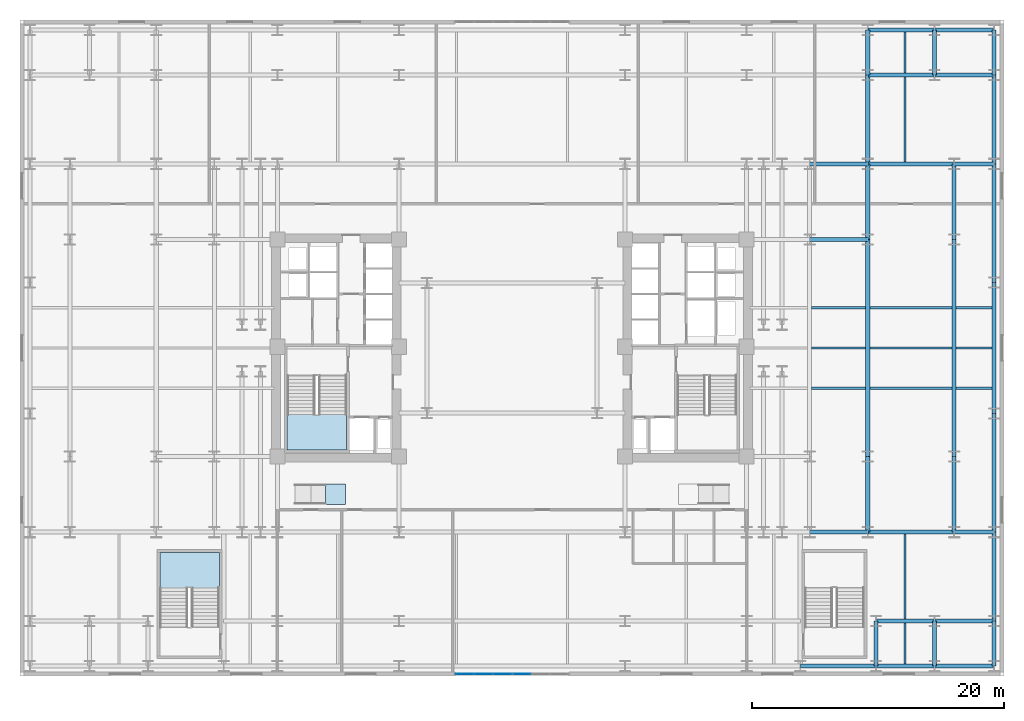
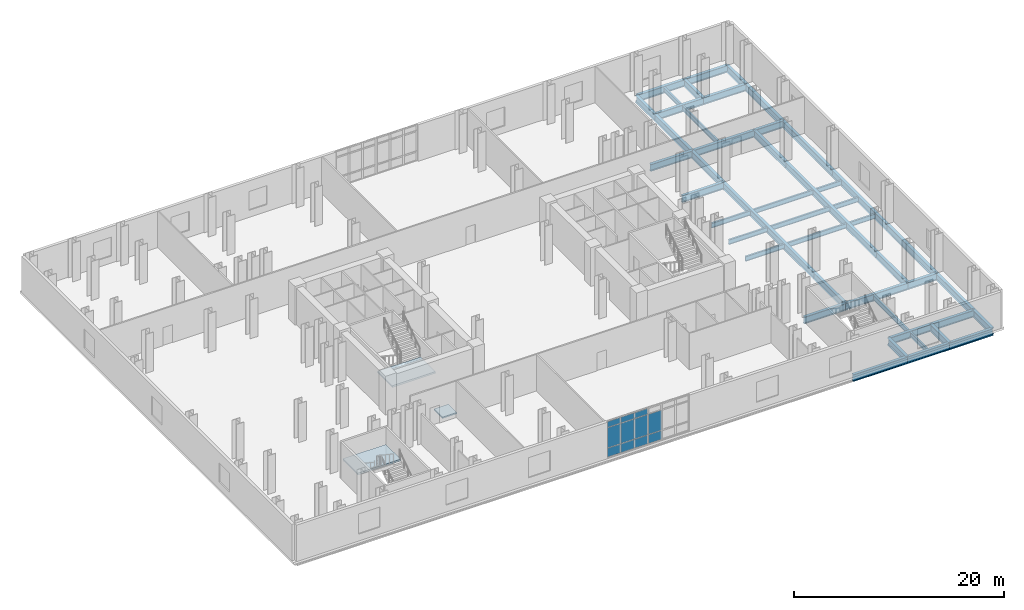
# One storey, part 6 of 13: 47 beams, 11 plates, 3 slabs, 4 elements without a shape of their own.
"""IFC4 building model written with IfcOpenShell, lengths in metres."""

import ifcopenshell
import ifcopenshell.guid

model = None  # the IFC model being written
_history = None  # IfcOwnerHistory: only IFC2X3 demands one
_inside = {}  # id of a spatial element -> (the spatial element, [elements in it])
_under = {}  # id of a project, library or spatial element -> (it, [spatial elements below it])
_declared = {}  # id of a project -> (the project, [libraries it declares])
_typed = {}  # id of a type object -> (the type object, [elements of that type])
_made_of = {}  # id of a material, layer set ... -> (it, [elements and type objects made of it])


def new_model(schema):
    """Start an empty IFC model of exactly this schema.

    Asked for "IFC4X3", IfcOpenShell would pick the latest addendum, in which some entities
    have other attributes; the version numbers below select the first issue.
    IFC2X3 requires an IfcOwnerHistory on every rooted entity: one is made here for all.
    """
    global model, _history
    if schema == "IFC4X3":
        model = ifcopenshell.file(schema_version=(4, 3, 0, 0))
    else:
        model = ifcopenshell.file(schema=schema)
    _inside.clear()
    _under.clear()
    _declared.clear()
    _typed.clear()
    _made_of.clear()
    _history = None
    if model.schema == "IFC2X3":
        org = make("IfcOrganization", Name="unknown")
        user = make(
            "IfcPersonAndOrganization",
            ThePerson=make("IfcPerson", FamilyName="unknown"),
            TheOrganization=org,
        )
        app = make(
            "IfcApplication",
            ApplicationDeveloper=org,
            Version="unknown",
            ApplicationFullName="unknown",
            ApplicationIdentifier="unknown",
        )
        _history = make(
            "IfcOwnerHistory",
            OwningUser=user,
            OwningApplication=app,
            ChangeAction="ADDED",
            CreationDate=0,
        )
    return model


def make(cls, **values):
    """One entity of the class cls with the attributes given. An attribute that is None is left unset."""
    return model.create_entity(
        cls, **{name: value for name, value in values.items() if value is not None}
    )


def rooted(cls, **values):
    """An entity with a GlobalId (a new one), such as an element, a storey or a relation."""
    return make(cls, GlobalId=ifcopenshell.guid.new(), OwnerHistory=_history, **values)


def si_unit(unit_type, name, prefix=None):
    """IfcSIUnit, for example si_unit("LENGTHUNIT", "METRE", prefix="MILLI")."""
    return make("IfcSIUnit", UnitType=unit_type, Prefix=prefix, Name=name)


def assignment(units):
    """IfcUnitAssignment: the units of a project."""
    return None if units is None else make("IfcUnitAssignment", Units=units)


def point(xyz):
    """IfcCartesianPoint."""
    return None if xyz is None else make("IfcCartesianPoint", Coordinates=xyz)


def direction(xyz):
    """IfcDirection."""
    return None if xyz is None else make("IfcDirection", DirectionRatios=xyz)


def frame(location, z_axis=None, x_axis=None):
    """IfcAxis2Placement3D, a coordinate frame: its origin and axes. An axis left out is left unset."""
    return make(
        "IfcAxis2Placement3D",
        Location=point(location),
        Axis=direction(z_axis),
        RefDirection=direction(x_axis),
    )


def frame_2d(location, x_axis=None):
    """IfcAxis2Placement2D, a coordinate frame in the plane: its origin and x axis."""
    return make(
        "IfcAxis2Placement2D", Location=point(location), RefDirection=direction(x_axis)
    )


def origin():
    """The frame at (0, 0, 0) with its axes left unset."""
    return frame((0.0, 0.0, 0.0))


def origin_2d():
    """The frame at (0, 0) in the plane with its x axis left unset."""
    return frame_2d((0.0, 0.0))


def place(relative_to, where):
    """IfcLocalPlacement: puts the frame where relative to a parent placement (None: the world)."""
    return make(
        "IfcLocalPlacement", PlacementRelTo=relative_to, RelativePlacement=where
    )


def context(
    kind, dimensions, precision=None, world=None, true_north=None, identifier=None
):
    """IfcGeometricRepresentationContext, for example the 3D "Model" context."""
    return make(
        "IfcGeometricRepresentationContext",
        ContextIdentifier=identifier,
        ContextType=kind,
        CoordinateSpaceDimension=dimensions,
        Precision=precision,
        WorldCoordinateSystem=world,
        TrueNorth=true_north,
    )


def subcontext(parent, identifier, kind, view, scale=None):
    """IfcGeometricRepresentationSubContext, for example "Body" below "Model"."""
    return make(
        "IfcGeometricRepresentationSubContext",
        ContextIdentifier=identifier,
        ContextType=kind,
        ParentContext=parent,
        TargetScale=scale,
        TargetView=view,
    )


def project(units=None, contexts=None):
    """IfcProject with its units and contexts."""
    return rooted(
        "IfcProject",
        Name="project",
        RepresentationContexts=contexts,
        UnitsInContext=assignment(units),
    )


def spatial(cls, under=None, at=None, **own):
    """A site, building, storey or space (cls), placed at a placement, below another one or the project."""
    s = rooted(cls, ObjectPlacement=at, **own)
    if under is not None:
        _under.setdefault(under.id(), (under, []))[1].append(s)
    return s


def polyline(points):
    """IfcPolyline through the points."""
    return make("IfcPolyline", Points=[point(p) for p in points])


def profile(cls, at=None, kind="AREA", **sizes):
    """A parametric profile (cls). Its sizes go by their IFC names, for example OverallWidth=200.0."""
    return make(cls, ProfileType=kind, Position=at, **sizes)


def rectangle(**sizes):
    """IfcRectangleProfileDef."""
    return profile("IfcRectangleProfileDef", **sizes)


def i_section(**sizes):
    """IfcIShapeProfileDef."""
    return profile("IfcIShapeProfileDef", **sizes)


def outline(outer, holes=None, kind="AREA"):
    """IfcArbitraryClosedProfileDef: a profile drawn as a closed curve; with holes, ...WithVoids."""
    if holes is None:
        return make("IfcArbitraryClosedProfileDef", ProfileType=kind, OuterCurve=outer)
    return make(
        "IfcArbitraryProfileDefWithVoids",
        ProfileType=kind,
        OuterCurve=outer,
        InnerCurves=holes,
    )


def extrude(swept, where, along, depth):
    """IfcExtrudedAreaSolid: the profile swept, set in the frame where, extruded along a direction by depth."""
    return make(
        "IfcExtrudedAreaSolid",
        SweptArea=swept,
        Position=where,
        ExtrudedDirection=direction(along),
        Depth=depth,
    )


def shape(context_of_items, identifier, shape_type, items):
    """IfcShapeRepresentation: the items that make up one representation, for example the "Body"."""
    return make(
        "IfcShapeRepresentation",
        ContextOfItems=context_of_items,
        RepresentationIdentifier=identifier,
        RepresentationType=shape_type,
        Items=items,
    )


def material(Name=None, Category=None):
    """IfcMaterial."""
    return make("IfcMaterial", Name=Name, Category=Category)


def layer(
    of_material, thickness, ventilated=None, Name=None, Category=None, Priority=None
):
    """IfcMaterialLayer: one layer of a wall or slab, of a material (None: an air gap)."""
    return make(
        "IfcMaterialLayer",
        Material=of_material,
        LayerThickness=thickness,
        IsVentilated=ventilated,
        Name=Name,
        Category=Category,
        Priority=Priority,
    )


def layer_set(layers, Name=None):
    """IfcMaterialLayerSet."""
    return make("IfcMaterialLayerSet", MaterialLayers=layers, LayerSetName=Name)


def material_profile(
    of_material, cross_section, Name=None, Category=None, Priority=None
):
    """IfcMaterialProfile: a cross section and its material."""
    return make(
        "IfcMaterialProfile",
        Name=Name,
        Material=of_material,
        Profile=cross_section,
        Priority=Priority,
        Category=Category,
    )


def profile_set(profiles, Name=None, composite=None):
    """IfcMaterialProfileSet."""
    return make(
        "IfcMaterialProfileSet",
        Name=Name,
        MaterialProfiles=profiles,
        CompositeProfile=composite,
    )


def made_of(thing, what):
    """Note that an element or type object is made of a material, layer set ...; save() writes the relation."""
    if what is not None:
        _made_of.setdefault(what.id(), (what, []))[1].append(thing)
    return thing


def type_object(cls, material=None, **own):
    """A type object (cls), such as IfcWallType, which elements share."""
    return made_of(rooted(cls, **own), material)


def element(
    cls,
    number,
    at=None,
    inside=None,
    cuts=None,
    type_object=None,
    material=None,
    context=None,
    identifier="Body",
    shape_type=None,
    held_by="IfcProductDefinitionShape",
    body=None,
    shapes=None,
    **own,
):
    """One element of the class cls, such as IfcWall. Its Tag is "e" and its number.

    at: its placement. inside: the storey or other place that contains it. cuts: it is an
    opening in that element (IfcRelVoidsElement). A single representation is given by context,
    identifier, shape_type and body (its items); several are given by shapes. held_by: the class
    of the entity that holds the representations. save() writes the other relations.
    """
    e = rooted(cls, Tag="e%d" % number, ObjectPlacement=at, **own)
    if body is not None:
        shapes = [shape(context, identifier, shape_type, body)]
    if shapes is not None:
        e.Representation = make(held_by, Representations=shapes)
    if inside is not None:
        _inside.setdefault(inside.id(), (inside, []))[1].append(e)
    if cuts is not None:
        rooted(
            "IfcRelVoidsElement", RelatingBuildingElement=cuts, RelatedOpeningElement=e
        )
    if type_object is not None:
        _typed.setdefault(type_object.id(), (type_object, []))[1].append(e)
    return made_of(e, material)


def aggregate(whole, parts):
    """IfcRelAggregates: a whole, such as a stair, and the parts it consists of."""
    return rooted("IfcRelAggregates", RelatingObject=whole, RelatedObjects=parts)


def save(model, path):
    """Write the relations noted so far, then the file.

    IfcRelAggregates (storeys below a building ...), IfcRelContainedInSpatialStructure (elements
    in a storey), IfcRelDefinesByType, IfcRelAssociatesMaterial and IfcRelDeclares: one each for
    every whole, place, type object, material and project.
    """
    for whole, parts in _under.values():
        aggregate(whole, parts)
    for where, things in _inside.values():
        rooted(
            "IfcRelContainedInSpatialStructure",
            RelatedElements=things,
            RelatingStructure=where,
        )
    for kind, things in _typed.values():
        rooted("IfcRelDefinesByType", RelatedObjects=things, RelatingType=kind)
    for what, things in _made_of.values():
        rooted("IfcRelAssociatesMaterial", RelatedObjects=things, RelatingMaterial=what)
    for by, libraries in _declared.values():
        rooted("IfcRelDeclares", RelatingContext=by, RelatedDefinitions=libraries)
    model.write(path)


model = new_model("IFC4")

# Units and contexts
model_context = context("Model", 3, precision=1e-05, world=origin(), true_north=direction((0.0, 1.0)))
body_context = subcontext(model_context, "Body", "Model", "MODEL_VIEW")
ifc_project = project(units=[si_unit("LENGTHUNIT", "METRE"), si_unit("AREAUNIT", "SQUARE_METRE"), si_unit("VOLUMEUNIT", "CUBIC_METRE"), si_unit("PLANEANGLEUNIT", "RADIAN"), si_unit("MASSUNIT", "GRAM", prefix="KILO")], contexts=[model_context])

# Site, building, storey
site_placement = place(None, origin())
site = spatial("IfcSite", under=ifc_project, at=site_placement, CompositionType="ELEMENT")
building_placement = place(site_placement, origin())
building = spatial("IfcBuilding", under=site, at=building_placement, Name="Velakula Bourse", CompositionType="ELEMENT")
storey_placement = place(building_placement, frame((0.0, 0.0, 5.10009765625)))
storey = spatial("IfcBuildingStorey", under=building, at=storey_placement, Name="L01", CompositionType="ELEMENT", Elevation=5.10009765625)

# Beams
ifc_material_1 = material(Name="Steel IS 2062 Grade 350 (E350)", Category="steel")
ifc_material_profile_1 = material_profile(ifc_material_1, i_section(OverallWidth=0.320068359375, OverallDepth=0.800048828125, WebThickness=0.01806640625, FlangeThickness=0.028076171875, at=origin_2d()), Name="Steel IS 2062 Grade 350 (E350)")
ifc_profile_set_1 = profile_set([ifc_material_profile_1], Name="Steel IS 2062 Grade 350 (E350)")
beam_type_1 = type_object("IfcBeamType", Name="BM-POD-800", PredefinedType="BEAM", material=ifc_profile_set_1)
for number, where, z_axis, x_axis, name in (
    (1, (23.60009765625, -14.60009765625, -0.650146484375), (1.0, 0.0, 0.0), (0.0, 1.0, 0.0), "L01 Fulcrum Grid Girder WNG-ES1"),
    (2, (23.60009765625, 8.60009765625, -0.650146484375), (1.0, 0.0, 0.0), (0.0, 1.0, 0.0), "L01 Fulcrum Grid Girder WNG-EN1"),
    (3, (23.60009765625, 14.60009765625, -0.650146484375), (1.0, 0.0, 0.0), (0.0, 1.0, 0.0), "L01 Fulcrum Grid Girder WNG-EN2"),
):
    element("IfcBeam", number, at=place(storey_placement, frame(where, z_axis=z_axis, x_axis=x_axis)), inside=storey, type_object=beam_type_1, Name=name, PredefinedType="BEAM", context=body_context, shape_type="SweptSolid", body=[
        extrude(i_section(OverallWidth=0.320068359375, OverallDepth=0.800048828125, WebThickness=0.01806640625, FlangeThickness=0.028076171875, at=origin_2d()), origin(), (0.0, 0.0, 1.0), 4.599853515625),
    ])
beam_1_placement = place(storey_placement, frame((28.199951171875, -14.60009765625, -0.650146484375), z_axis=(0.0, 1.0, 0.0), x_axis=(-1.0, 0.0, 0.0)))
element("IfcBeam", 4, at=beam_1_placement, inside=storey, type_object=beam_type_1, Name="L01 Fulcrum Grid Girder WNG-ENS1", PredefinedType="BEAM", context=body_context, shape_type="SweptSolid", body=[
    extrude(i_section(OverallWidth=0.320068359375, OverallDepth=0.800048828125, WebThickness=0.01806640625, FlangeThickness=0.028076171875, at=origin_2d()), origin(), (0.0, 0.0, 1.0), 6.0),
])
beam_2_placement = place(storey_placement, frame((28.199951171875, -8.60009765625, -0.650146484375), z_axis=(0.0, 1.0, 0.0), x_axis=(-1.0, 0.0, 0.0)))
element("IfcBeam", 5, at=beam_2_placement, inside=storey, type_object=beam_type_1, Name="L01 Fulcrum Grid Girder WNG-ENS2", PredefinedType="BEAM", context=body_context, shape_type="SweptSolid", body=[
    extrude(i_section(OverallWidth=0.320068359375, OverallDepth=0.800048828125, WebThickness=0.01806640625, FlangeThickness=0.028076171875, at=origin_2d()), origin(), (0.0, 0.0, 1.0), 17.2001953125),
])
for number, where, z_axis, x_axis, name in (
    (6, (28.199951171875, 8.60009765625, -0.650146484375), (0.0, 1.0, 0.0), (-1.0, 0.0, 0.0), "L01 Fulcrum Grid Girder WNG-ENS3"),
    (7, (22.85009765625, -25.199951171875, -0.650146484375), (1.0, 0.0, 0.0), (0.0, 1.0, 0.0), "L01 Podium E-W Girder 09"),
):
    element("IfcBeam", number, at=place(storey_placement, frame(where, z_axis=z_axis, x_axis=x_axis)), inside=storey, type_object=beam_type_1, Name=name, PredefinedType="BEAM", context=body_context, shape_type="SweptSolid", body=[
        extrude(i_section(OverallWidth=0.320068359375, OverallDepth=0.800048828125, WebThickness=0.01806640625, FlangeThickness=0.028076171875, at=origin_2d()), origin(), (0.0, 0.0, 1.0), 6.0),
    ])
beam_3_placement = place(storey_placement, frame((28.85009765625, -25.199951171875, -0.650146484375), z_axis=(1.0, 0.0, 0.0), x_axis=(0.0, 1.0, 0.0)))
element("IfcBeam", 8, at=beam_3_placement, inside=storey, type_object=beam_type_1, Name="L01 Podium E-W Girder 10", PredefinedType="BEAM", context=body_context, shape_type="SweptSolid", body=[
    extrude(i_section(OverallWidth=0.320068359375, OverallDepth=0.800048828125, WebThickness=0.01806640625, FlangeThickness=0.028076171875, at=origin_2d()), origin(), (0.0, 0.0, 1.0), 4.64990234375),
])
beam_4_placement = place(storey_placement, frame((33.5, -25.199951171875, -0.650146484375), z_axis=(1.0, 0.0, 0.0), x_axis=(0.0, 1.0, 0.0)))
element("IfcBeam", 9, at=beam_4_placement, inside=storey, type_object=beam_type_1, Name="L01 Podium E-W Girder 11", PredefinedType="BEAM", context=body_context, shape_type="SweptSolid", body=[
    extrude(i_section(OverallWidth=0.320068359375, OverallDepth=0.800048828125, WebThickness=0.01806640625, FlangeThickness=0.028076171875, at=origin_2d()), origin(), (0.0, 0.0, 1.0), 4.699951171875),
])
beam_5_placement = place(storey_placement, frame((28.85009765625, -21.64990234375, -0.650146484375), z_axis=(1.0, 0.0, 0.0), x_axis=(0.0, 1.0, 0.0)))
element("IfcBeam", 10, at=beam_5_placement, inside=storey, type_object=beam_type_1, Name="L01 Podium E-W Girder 19", PredefinedType="BEAM", context=body_context, shape_type="SweptSolid", body=[
    extrude(i_section(OverallWidth=0.320068359375, OverallDepth=0.800048828125, WebThickness=0.01806640625, FlangeThickness=0.028076171875, at=origin_2d()), origin(), (0.0, 0.0, 1.0), 4.64990234375),
])
beam_6_placement = place(storey_placement, frame((33.5, -21.64990234375, -0.650146484375), z_axis=(1.0, 0.0, 0.0), x_axis=(0.0, 1.0, 0.0)))
element("IfcBeam", 11, at=beam_6_placement, inside=storey, type_object=beam_type_1, Name="L01 Podium E-W Girder 20", PredefinedType="BEAM", context=body_context, shape_type="SweptSolid", body=[
    extrude(i_section(OverallWidth=0.320068359375, OverallDepth=0.800048828125, WebThickness=0.01806640625, FlangeThickness=0.028076171875, at=origin_2d()), origin(), (0.0, 0.0, 1.0), 4.699951171875),
])
beam_7_placement = place(storey_placement, frame((28.199951171875, -14.60009765625, -0.650146484375), z_axis=(1.0, 0.0, 0.0), x_axis=(0.0, 1.0, 0.0)))
element("IfcBeam", 12, at=beam_7_placement, inside=storey, type_object=beam_type_1, Name="L01 Podium E-W Girder 32", PredefinedType="BEAM", context=body_context, shape_type="SweptSolid", body=[
    extrude(i_section(OverallWidth=0.320068359375, OverallDepth=0.800048828125, WebThickness=0.01806640625, FlangeThickness=0.028076171875, at=origin_2d()), origin(), (0.0, 0.0, 1.0), 6.85009765625),
])
beam_8_placement = place(storey_placement, frame((35.050048828125, -14.60009765625, -0.650146484375), z_axis=(1.0, 0.0, 0.0), x_axis=(0.0, 1.0, 0.0)))
element("IfcBeam", 13, at=beam_8_placement, inside=storey, type_object=beam_type_1, Name="L01 Podium E-W Girder 33", PredefinedType="BEAM", context=body_context, shape_type="SweptSolid", body=[
    extrude(i_section(OverallWidth=0.320068359375, OverallDepth=0.800048828125, WebThickness=0.01806640625, FlangeThickness=0.028076171875, at=origin_2d()), origin(), (0.0, 0.0, 1.0), 3.14990234375),
])
beam_9_placement = place(storey_placement, frame((28.199951171875, 14.60009765625, -0.650146484375), z_axis=(1.0, 0.0, 0.0), x_axis=(0.0, 1.0, 0.0)))
element("IfcBeam", 14, at=beam_9_placement, inside=storey, type_object=beam_type_1, Name="L01 Podium E-W Girder 45", PredefinedType="BEAM", context=body_context, shape_type="SweptSolid", body=[
    extrude(i_section(OverallWidth=0.320068359375, OverallDepth=0.800048828125, WebThickness=0.01806640625, FlangeThickness=0.028076171875, at=origin_2d()), origin(), (0.0, 0.0, 1.0), 6.85009765625),
])
beam_10_placement = place(storey_placement, frame((35.050048828125, 14.60009765625, -0.650146484375), z_axis=(1.0, 0.0, 0.0), x_axis=(0.0, 1.0, 0.0)))
element("IfcBeam", 15, at=beam_10_placement, inside=storey, type_object=beam_type_1, Name="L01 Podium E-W Girder 46", PredefinedType="BEAM", context=body_context, shape_type="SweptSolid", body=[
    extrude(i_section(OverallWidth=0.320068359375, OverallDepth=0.800048828125, WebThickness=0.01806640625, FlangeThickness=0.028076171875, at=origin_2d()), origin(), (0.0, 0.0, 1.0), 3.14990234375),
])
beam_11_placement = place(storey_placement, frame((28.199951171875, 21.64990234375, -0.650146484375), z_axis=(1.0, 0.0, 0.0), x_axis=(0.0, 1.0, 0.0)))
element("IfcBeam", 16, at=beam_11_placement, inside=storey, type_object=beam_type_1, Name="L01 Podium E-W Girder 54", PredefinedType="BEAM", context=body_context, shape_type="SweptSolid", body=[
    extrude(i_section(OverallWidth=0.320068359375, OverallDepth=0.800048828125, WebThickness=0.01806640625, FlangeThickness=0.028076171875, at=origin_2d()), origin(), (0.0, 0.0, 1.0), 5.300048828125),
])
beam_12_placement = place(storey_placement, frame((33.5, 21.64990234375, -0.650146484375), z_axis=(1.0, 0.0, 0.0), x_axis=(0.0, 1.0, 0.0)))
element("IfcBeam", 17, at=beam_12_placement, inside=storey, type_object=beam_type_1, Name="L01 Podium E-W Girder 55", PredefinedType="BEAM", context=body_context, shape_type="SweptSolid", body=[
    extrude(i_section(OverallWidth=0.320068359375, OverallDepth=0.800048828125, WebThickness=0.01806640625, FlangeThickness=0.028076171875, at=origin_2d()), origin(), (0.0, 0.0, 1.0), 4.699951171875),
])
beam_13_placement = place(storey_placement, frame((28.199951171875, 25.199951171875, -0.650146484375), z_axis=(1.0, 0.0, 0.0), x_axis=(0.0, 1.0, 0.0)))
element("IfcBeam", 18, at=beam_13_placement, inside=storey, type_object=beam_type_1, Name="L01 Podium E-W Girder 63", PredefinedType="BEAM", context=body_context, shape_type="SweptSolid", body=[
    extrude(i_section(OverallWidth=0.320068359375, OverallDepth=0.800048828125, WebThickness=0.01806640625, FlangeThickness=0.028076171875, at=origin_2d()), origin(), (0.0, 0.0, 1.0), 5.300048828125),
])
beam_14_placement = place(storey_placement, frame((33.5, 25.199951171875, -0.650146484375), z_axis=(1.0, 0.0, 0.0), x_axis=(0.0, 1.0, 0.0)))
element("IfcBeam", 19, at=beam_14_placement, inside=storey, type_object=beam_type_1, Name="L01 Podium E-W Girder 64", PredefinedType="BEAM", context=body_context, shape_type="SweptSolid", body=[
    extrude(i_section(OverallWidth=0.320068359375, OverallDepth=0.800048828125, WebThickness=0.01806640625, FlangeThickness=0.028076171875, at=origin_2d()), origin(), (0.0, 0.0, 1.0), 4.699951171875),
])
beam_15_placement = place(storey_placement, frame((28.199951171875, 14.60009765625, -0.650146484375), z_axis=(0.0, 1.0, 0.0), x_axis=(-1.0, 0.0, 0.0)))
element("IfcBeam", 20, at=beam_15_placement, inside=storey, type_object=beam_type_1, Name="L01 Podium N-S Girder 85", PredefinedType="BEAM", context=body_context, shape_type="SweptSolid", body=[
    extrude(i_section(OverallWidth=0.320068359375, OverallDepth=0.800048828125, WebThickness=0.01806640625, FlangeThickness=0.028076171875, at=origin_2d()), origin(), (0.0, 0.0, 1.0), 7.0498046875),
])
for number, where, z_axis, x_axis, name in (
    (21, (28.199951171875, 21.64990234375, -0.650146484375), (0.0, 1.0, 0.0), (-1.0, 0.0, 0.0), "L01 Podium N-S Girder 86"),
    (22, (28.85009765625, -25.199951171875, -0.650146484375), (0.0, 1.0, 0.0), (-1.0, 0.0, 0.0), "L01 Podium N-S Girder 87"),
    (23, (33.5, -25.199951171875, -0.650146484375), (0.0, 1.0, 0.0), (-1.0, 0.0, 0.0), "L01 Podium N-S Girder 88"),
):
    element("IfcBeam", number, at=place(storey_placement, frame(where, z_axis=z_axis, x_axis=x_axis)), inside=storey, type_object=beam_type_1, Name=name, PredefinedType="BEAM", context=body_context, shape_type="SweptSolid", body=[
        extrude(i_section(OverallWidth=0.320068359375, OverallDepth=0.800048828125, WebThickness=0.01806640625, FlangeThickness=0.028076171875, at=origin_2d()), origin(), (0.0, 0.0, 1.0), 3.550048828125),
    ])
beam_16_placement = place(storey_placement, frame((35.050048828125, -14.60009765625, -0.650146484375), z_axis=(0.0, 1.0, 0.0), x_axis=(-1.0, 0.0, 0.0)))
element("IfcBeam", 24, at=beam_16_placement, inside=storey, type_object=beam_type_1, Name="L01 Podium N-S Girder 89", PredefinedType="BEAM", context=body_context, shape_type="SweptSolid", body=[
    extrude(i_section(OverallWidth=0.320068359375, OverallDepth=0.800048828125, WebThickness=0.01806640625, FlangeThickness=0.028076171875, at=origin_2d()), origin(), (0.0, 0.0, 1.0), 6.0),
])
beam_17_placement = place(storey_placement, frame((35.050048828125, -8.60009765625, -0.650146484375), z_axis=(0.0, 1.0, 0.0), x_axis=(-1.0, 0.0, 0.0)))
element("IfcBeam", 25, at=beam_17_placement, inside=storey, type_object=beam_type_1, Name="L01 Podium N-S Girder 90", PredefinedType="BEAM", context=body_context, shape_type="SweptSolid", body=[
    extrude(i_section(OverallWidth=0.320068359375, OverallDepth=0.800048828125, WebThickness=0.01806640625, FlangeThickness=0.028076171875, at=origin_2d()), origin(), (0.0, 0.0, 1.0), 17.2001953125),
])
beam_18_placement = place(storey_placement, frame((35.050048828125, 8.60009765625, -0.650146484375), z_axis=(0.0, 1.0, 0.0), x_axis=(-1.0, 0.0, 0.0)))
element("IfcBeam", 26, at=beam_18_placement, inside=storey, type_object=beam_type_1, Name="L01 Podium N-S Girder 91", PredefinedType="BEAM", context=body_context, shape_type="SweptSolid", body=[
    extrude(i_section(OverallWidth=0.320068359375, OverallDepth=0.800048828125, WebThickness=0.01806640625, FlangeThickness=0.028076171875, at=origin_2d()), origin(), (0.0, 0.0, 1.0), 6.0),
])
beam_19_placement = place(storey_placement, frame((38.199951171875, -25.199951171875, -0.650146484375), z_axis=(0.0, 1.0, 0.0), x_axis=(-1.0, 0.0, 0.0)))
element("IfcBeam", 27, at=beam_19_placement, inside=storey, type_object=beam_type_1, Name="L01 Podium N-S Girder 92", PredefinedType="BEAM", context=body_context, shape_type="SweptSolid", body=[
    extrude(i_section(OverallWidth=0.320068359375, OverallDepth=0.800048828125, WebThickness=0.01806640625, FlangeThickness=0.028076171875, at=origin_2d()), origin(), (0.0, 0.0, 1.0), 3.550048828125),
])
beam_20_placement = place(storey_placement, frame((38.199951171875, -21.64990234375, -0.650146484375), z_axis=(0.0, 1.0, 0.0), x_axis=(-1.0, 0.0, 0.0)))
element("IfcBeam", 28, at=beam_20_placement, inside=storey, type_object=beam_type_1, Name="L01 Podium N-S Girder 93", PredefinedType="BEAM", context=body_context, shape_type="SweptSolid", body=[
    extrude(i_section(OverallWidth=0.320068359375, OverallDepth=0.800048828125, WebThickness=0.01806640625, FlangeThickness=0.028076171875, at=origin_2d()), origin(), (0.0, 0.0, 1.0), 7.0498046875),
])
beam_21_placement = place(storey_placement, frame((38.199951171875, -14.60009765625, -0.650146484375), z_axis=(0.0, 1.0, 0.0), x_axis=(-1.0, 0.0, 0.0)))
element("IfcBeam", 29, at=beam_21_placement, inside=storey, type_object=beam_type_1, Name="L01 Podium N-S Girder 94", PredefinedType="BEAM", context=body_context, shape_type="SweptSolid", body=[
    extrude(i_section(OverallWidth=0.320068359375, OverallDepth=0.800048828125, WebThickness=0.01806640625, FlangeThickness=0.028076171875, at=origin_2d()), origin(), (0.0, 0.0, 1.0), 9.400146484375),
])
beam_22_placement = place(storey_placement, frame((38.199951171875, -5.199951171875, -0.650146484375), z_axis=(0.0, 1.0, 0.0), x_axis=(-1.0, 0.0, 0.0)))
element("IfcBeam", 30, at=beam_22_placement, inside=storey, type_object=beam_type_1, Name="L01 Podium N-S Girder 95", PredefinedType="BEAM", context=body_context, shape_type="SweptSolid", body=[
    extrude(i_section(OverallWidth=0.320068359375, OverallDepth=0.800048828125, WebThickness=0.01806640625, FlangeThickness=0.028076171875, at=origin_2d()), origin(), (0.0, 0.0, 1.0), 10.39990234375),
])
beam_23_placement = place(storey_placement, frame((38.199951171875, 5.199951171875, -0.650146484375), z_axis=(0.0, 1.0, 0.0), x_axis=(-1.0, 0.0, 0.0)))
element("IfcBeam", 31, at=beam_23_placement, inside=storey, type_object=beam_type_1, Name="L01 Podium N-S Girder 96", PredefinedType="BEAM", context=body_context, shape_type="SweptSolid", body=[
    extrude(i_section(OverallWidth=0.320068359375, OverallDepth=0.800048828125, WebThickness=0.01806640625, FlangeThickness=0.028076171875, at=origin_2d()), origin(), (0.0, 0.0, 1.0), 9.400146484375),
])
beam_24_placement = place(storey_placement, frame((38.199951171875, 14.60009765625, -0.650146484375), z_axis=(0.0, 1.0, 0.0), x_axis=(-1.0, 0.0, 0.0)))
element("IfcBeam", 32, at=beam_24_placement, inside=storey, type_object=beam_type_1, Name="L01 Podium N-S Girder 97", PredefinedType="BEAM", context=body_context, shape_type="SweptSolid", body=[
    extrude(i_section(OverallWidth=0.320068359375, OverallDepth=0.800048828125, WebThickness=0.01806640625, FlangeThickness=0.028076171875, at=origin_2d()), origin(), (0.0, 0.0, 1.0), 7.0498046875),
])
for number, where, z_axis, x_axis, name in (
    (33, (38.199951171875, 21.64990234375, -0.650146484375), (0.0, 1.0, 0.0), (-1.0, 0.0, 0.0), "L01 Podium N-S Girder 98"),
    (34, (33.5, 21.64990234375, -0.650146484375), (0.0, 1.0, 0.0), (-1.0, 0.0, 0.0), "L01 Podium N-S Girder 100"),
):
    element("IfcBeam", number, at=place(storey_placement, frame(where, z_axis=z_axis, x_axis=x_axis)), inside=storey, type_object=beam_type_1, Name=name, PredefinedType="BEAM", context=body_context, shape_type="SweptSolid", body=[
        extrude(i_section(OverallWidth=0.320068359375, OverallDepth=0.800048828125, WebThickness=0.01806640625, FlangeThickness=0.028076171875, at=origin_2d()), origin(), (0.0, 0.0, 1.0), 3.550048828125),
    ])
ifc_material_profile_2 = material_profile(ifc_material_1, i_section(OverallWidth=0.18994140625, OverallDepth=0.550048828125, WebThickness=0.01123046875, FlangeThickness=0.019287109375, at=origin_2d()), Name="Steel IS 2062 Grade 350 (E350)")
ifc_profile_set_2 = profile_set([ifc_material_profile_2], Name="Steel IS 2062 Grade 350 (E350)")
beam_type_2 = type_object("IfcBeamType", Name="JST-POD-550", PredefinedType="JOIST", material=ifc_profile_set_2)
beam_25_placement = place(storey_placement, frame((31.14990234375, -25.0400390625, -0.525146484375), z_axis=(0.0, 1.0, 0.0), x_axis=(-1.0, 0.0, 0.0)))
element("IfcBeam", 35, at=beam_25_placement, inside=storey, type_object=beam_type_2, Name="L01 Station Podium Floor Joist 29", PredefinedType="JOIST", context=body_context, shape_type="SweptSolid", body=[
    extrude(i_section(OverallWidth=0.18994140625, OverallDepth=0.550048828125, WebThickness=0.01123046875, FlangeThickness=0.019287109375, at=origin_2d()), origin(), (0.0, 0.0, 1.0), 3.22998046875),
])
for number, where, z_axis, x_axis, name in (
    (36, (31.14990234375, -21.489990234375, -0.525146484375), (0.0, 1.0, 0.0), (-1.0, 0.0, 0.0), "L01 Station Podium Floor Joist 30"),
    (37, (31.14990234375, 14.760009765625, -0.525146484375), (0.0, 1.0, 0.0), (-1.0, 0.0, 0.0), "L01 Station Podium Floor Joist 31"),
):
    element("IfcBeam", number, at=place(storey_placement, frame(where, z_axis=z_axis, x_axis=x_axis)), inside=storey, type_object=beam_type_2, Name=name, PredefinedType="JOIST", context=body_context, shape_type="SweptSolid", body=[
        extrude(i_section(OverallWidth=0.18994140625, OverallDepth=0.550048828125, WebThickness=0.01123046875, FlangeThickness=0.019287109375, at=origin_2d()), origin(), (0.0, 0.0, 1.0), 6.72998046875),
    ])
beam_26_placement = place(storey_placement, frame((31.14990234375, 21.81005859375, -0.525146484375), z_axis=(0.0, 1.0, 0.0), x_axis=(-1.0, 0.0, 0.0)))
element("IfcBeam", 38, at=beam_26_placement, inside=storey, type_object=beam_type_2, Name="L01 Station Podium Floor Joist 32", PredefinedType="JOIST", context=body_context, shape_type="SweptSolid", body=[
    extrude(i_section(OverallWidth=0.18994140625, OverallDepth=0.550048828125, WebThickness=0.01123046875, FlangeThickness=0.019287109375, at=origin_2d()), origin(), (0.0, 0.0, 1.0), 3.22998046875),
])
beam_27_placement = place(storey_placement, frame((23.760009765625, -3.199951171875, -0.525146484375), z_axis=(1.0, 0.0, 0.0), x_axis=(0.0, 1.0, 0.0)))
element("IfcBeam", 39, at=beam_27_placement, inside=storey, type_object=beam_type_2, Name="L01 Station Wing Floor Joist 38", PredefinedType="JOIST", context=body_context, shape_type="SweptSolid", body=[
    extrude(i_section(OverallWidth=0.18994140625, OverallDepth=0.550048828125, WebThickness=0.01123046875, FlangeThickness=0.019287109375, at=origin_2d()), origin(), (0.0, 0.0, 1.0), 4.280029296875),
])
beam_28_placement = place(storey_placement, frame((28.360107421875, -3.199951171875, -0.525146484375), z_axis=(1.0, 0.0, 0.0), x_axis=(0.0, 1.0, 0.0)))
element("IfcBeam", 40, at=beam_28_placement, inside=storey, type_object=beam_type_2, Name="L01 Station Wing Floor Joist 39", PredefinedType="JOIST", context=body_context, shape_type="SweptSolid", body=[
    extrude(i_section(OverallWidth=0.18994140625, OverallDepth=0.550048828125, WebThickness=0.01123046875, FlangeThickness=0.019287109375, at=origin_2d()), origin(), (0.0, 0.0, 1.0), 6.52978515625),
])
beam_29_placement = place(storey_placement, frame((35.2099609375, -3.199951171875, -0.525146484375), z_axis=(1.0, 0.0, 0.0), x_axis=(0.0, 1.0, 0.0)))
element("IfcBeam", 41, at=beam_29_placement, inside=storey, type_object=beam_type_2, Name="L01 Station Wing Floor Joist 40", PredefinedType="JOIST", context=body_context, shape_type="SweptSolid", body=[
    extrude(i_section(OverallWidth=0.18994140625, OverallDepth=0.550048828125, WebThickness=0.01123046875, FlangeThickness=0.019287109375, at=origin_2d()), origin(), (0.0, 0.0, 1.0), 2.830078125),
])
beam_30_placement = place(storey_placement, frame((23.760009765625, 0.0, -0.525146484375), z_axis=(1.0, 0.0, 0.0), x_axis=(0.0, 1.0, 0.0)))
element("IfcBeam", 42, at=beam_30_placement, inside=storey, type_object=beam_type_2, Name="L01 Station Wing Floor Joist 46", PredefinedType="JOIST", context=body_context, shape_type="SweptSolid", body=[
    extrude(i_section(OverallWidth=0.18994140625, OverallDepth=0.550048828125, WebThickness=0.01123046875, FlangeThickness=0.019287109375, at=origin_2d()), origin(), (0.0, 0.0, 1.0), 4.280029296875),
])
beam_31_placement = place(storey_placement, frame((28.360107421875, 0.0, -0.525146484375), z_axis=(1.0, 0.0, 0.0), x_axis=(0.0, 1.0, 0.0)))
element("IfcBeam", 43, at=beam_31_placement, inside=storey, type_object=beam_type_2, Name="L01 Station Wing Floor Joist 47", PredefinedType="JOIST", context=body_context, shape_type="SweptSolid", body=[
    extrude(i_section(OverallWidth=0.18994140625, OverallDepth=0.550048828125, WebThickness=0.01123046875, FlangeThickness=0.019287109375, at=origin_2d()), origin(), (0.0, 0.0, 1.0), 6.52978515625),
])
beam_32_placement = place(storey_placement, frame((35.2099609375, 0.0, -0.525146484375), z_axis=(1.0, 0.0, 0.0), x_axis=(0.0, 1.0, 0.0)))
element("IfcBeam", 44, at=beam_32_placement, inside=storey, type_object=beam_type_2, Name="L01 Station Wing Floor Joist 48", PredefinedType="JOIST", context=body_context, shape_type="SweptSolid", body=[
    extrude(i_section(OverallWidth=0.18994140625, OverallDepth=0.550048828125, WebThickness=0.01123046875, FlangeThickness=0.019287109375, at=origin_2d()), origin(), (0.0, 0.0, 1.0), 2.830078125),
])
beam_33_placement = place(storey_placement, frame((23.760009765625, 3.199951171875, -0.525146484375), z_axis=(1.0, 0.0, 0.0), x_axis=(0.0, 1.0, 0.0)))
element("IfcBeam", 45, at=beam_33_placement, inside=storey, type_object=beam_type_2, Name="L01 Station Wing Floor Joist 54", PredefinedType="JOIST", context=body_context, shape_type="SweptSolid", body=[
    extrude(i_section(OverallWidth=0.18994140625, OverallDepth=0.550048828125, WebThickness=0.01123046875, FlangeThickness=0.019287109375, at=origin_2d()), origin(), (0.0, 0.0, 1.0), 4.280029296875),
])
beam_34_placement = place(storey_placement, frame((28.360107421875, 3.199951171875, -0.525146484375), z_axis=(1.0, 0.0, 0.0), x_axis=(0.0, 1.0, 0.0)))
element("IfcBeam", 46, at=beam_34_placement, inside=storey, type_object=beam_type_2, Name="L01 Station Wing Floor Joist 55", PredefinedType="JOIST", context=body_context, shape_type="SweptSolid", body=[
    extrude(i_section(OverallWidth=0.18994140625, OverallDepth=0.550048828125, WebThickness=0.01123046875, FlangeThickness=0.019287109375, at=origin_2d()), origin(), (0.0, 0.0, 1.0), 6.52978515625),
])
beam_35_placement = place(storey_placement, frame((35.2099609375, 3.199951171875, -0.525146484375), z_axis=(1.0, 0.0, 0.0), x_axis=(0.0, 1.0, 0.0)))
element("IfcBeam", 47, at=beam_35_placement, inside=storey, type_object=beam_type_2, Name="L01 Station Wing Floor Joist 56", PredefinedType="JOIST", context=body_context, shape_type="SweptSolid", body=[
    extrude(i_section(OverallWidth=0.18994140625, OverallDepth=0.550048828125, WebThickness=0.01123046875, FlangeThickness=0.019287109375, at=origin_2d()), origin(), (0.0, 0.0, 1.0), 2.830078125),
])

# Curtain wall, plates
ifc_material_2 = material(Name="Anodised bronze architectural aluminium", Category="aluminium")
ifc_layer_1 = layer(ifc_material_2, 0.199951171875, Name="Anodised bronze architectural aluminium", Category="aluminium")
ifc_layer_set_1 = layer_set([ifc_layer_1], Name="Anodised bronze architectural aluminium")
curtain_wall_type = type_object("IfcCurtainWallType", Name="CW-ST1", PredefinedType="NOTDEFINED", material=ifc_layer_set_1)
curtain_wall_1_placement = place(storey_placement, origin())
curtain_wall_1 = element("IfcCurtainWall", 48, at=curtain_wall_1_placement, inside=storey, type_object=curtain_wall_type, Name="L01 South Station Galleria Curtain Wall 2", PredefinedType="NOTDEFINED")
ifc_material_3 = material(Name="Double-glazed solar-control Low-E glass", Category="glass")
ifc_layer_2 = layer(ifc_material_3, 0.028076171875, Name="Double-glazed solar-control Low-E glass", Category="glass")
ifc_layer_set_2 = layer_set([ifc_layer_2], Name="Double-glazed solar-control Low-E glass")
plate_type = type_object("IfcPlateType", Name="PNL-CW-ST1", PredefinedType="CURTAIN_PANEL", material=ifc_layer_set_2)
plate_1_placement = place(storey_placement, frame((0.764892578125, -25.840087890625, 0.06005859375), z_axis=(0.0, 0.0, 1.0), x_axis=(-1.0, 0.0, 0.0)))
plate_1 = element("IfcPlate", 49, at=plate_1_placement, type_object=plate_type, Name="CW-ST1 panel 3.1", PredefinedType="CURTAIN_PANEL", context=body_context, shape_type="SweptSolid", body=[
    extrude(rectangle(XDim=1.409912109375, YDim=0.028076171875, at=origin_2d()), origin(), (0.0, 0.0, 1.0), 1.010009765625),
])
plate_2_placement = place(storey_placement, frame((0.764892578125, -25.840087890625, 1.1298828125), z_axis=(0.0, 0.0, 1.0), x_axis=(-1.0, 0.0, 0.0)))
plate_2 = element("IfcPlate", 50, at=plate_2_placement, type_object=plate_type, Name="CW-ST1 panel 3.2", PredefinedType="CURTAIN_PANEL", context=body_context, shape_type="SweptSolid", body=[
    extrude(rectangle(XDim=1.409912109375, YDim=0.028076171875, at=origin_2d()), origin(), (0.0, 0.0, 1.0), 2.320068359375),
])
aggregate(curtain_wall_1, [plate_1, plate_2])

curtain_wall_2_placement = place(storey_placement, origin())
curtain_wall_2 = element("IfcCurtainWall", 51, at=curtain_wall_2_placement, inside=storey, type_object=curtain_wall_type, Name="L01 South Station Galleria Curtain Wall 3", PredefinedType="NOTDEFINED")
plate_3_placement = place(storey_placement, frame((-0.764892578125, -25.840087890625, 0.06005859375), z_axis=(0.0, 0.0, 1.0), x_axis=(-1.0, 0.0, 0.0)))
plate_3 = element("IfcPlate", 52, at=plate_3_placement, type_object=plate_type, Name="CW-ST1 panel 1.1", PredefinedType="CURTAIN_PANEL", context=body_context, shape_type="SweptSolid", body=[
    extrude(rectangle(XDim=1.409912109375, YDim=0.028076171875, at=origin_2d()), origin(), (0.0, 0.0, 1.0), 1.010009765625),
])
plate_4_placement = place(storey_placement, frame((-0.764892578125, -25.840087890625, 1.1298828125), z_axis=(0.0, 0.0, 1.0), x_axis=(-1.0, 0.0, 0.0)))
plate_4 = element("IfcPlate", 53, at=plate_4_placement, type_object=plate_type, Name="CW-ST1 panel 1.2", PredefinedType="CURTAIN_PANEL", context=body_context, shape_type="SweptSolid", body=[
    extrude(rectangle(XDim=1.409912109375, YDim=0.028076171875, at=origin_2d()), origin(), (0.0, 0.0, 1.0), 2.320068359375),
])
plate_5_placement = place(storey_placement, frame((-0.764892578125, -25.840087890625, 3.509765625), z_axis=(0.0, 0.0, 1.0), x_axis=(-1.0, 0.0, 0.0)))
plate_5 = element("IfcPlate", 54, at=plate_5_placement, type_object=plate_type, Name="CW-ST1 panel 1.3", PredefinedType="CURTAIN_PANEL", context=body_context, shape_type="SweptSolid", body=[
    extrude(rectangle(XDim=1.409912109375, YDim=0.028076171875, at=origin_2d()), origin(), (0.0, 0.0, 1.0), 0.659912109375),
])
plate_6_placement = place(storey_placement, frame((-2.25, -25.840087890625, 0.06005859375), z_axis=(0.0, 0.0, 1.0), x_axis=(-1.0, 0.0, 0.0)))
plate_6 = element("IfcPlate", 55, at=plate_6_placement, type_object=plate_type, Name="CW-ST1 panel 2.1", PredefinedType="CURTAIN_PANEL", context=body_context, shape_type="SweptSolid", body=[
    extrude(rectangle(XDim=1.43994140625, YDim=0.028076171875, at=origin_2d()), origin(), (0.0, 0.0, 1.0), 1.010009765625),
])
plate_7_placement = place(storey_placement, frame((-2.25, -25.840087890625, 1.1298828125), z_axis=(0.0, 0.0, 1.0), x_axis=(-1.0, 0.0, 0.0)))
plate_7 = element("IfcPlate", 56, at=plate_7_placement, type_object=plate_type, Name="CW-ST1 panel 2.2", PredefinedType="CURTAIN_PANEL", context=body_context, shape_type="SweptSolid", body=[
    extrude(rectangle(XDim=1.43994140625, YDim=0.028076171875, at=origin_2d()), origin(), (0.0, 0.0, 1.0), 2.320068359375),
])
plate_8_placement = place(storey_placement, frame((-2.25, -25.840087890625, 3.509765625), z_axis=(0.0, 0.0, 1.0), x_axis=(-1.0, 0.0, 0.0)))
plate_8 = element("IfcPlate", 57, at=plate_8_placement, type_object=plate_type, Name="CW-ST1 panel 2.3", PredefinedType="CURTAIN_PANEL", context=body_context, shape_type="SweptSolid", body=[
    extrude(rectangle(XDim=1.43994140625, YDim=0.028076171875, at=origin_2d()), origin(), (0.0, 0.0, 1.0), 0.659912109375),
])
plate_9_placement = place(storey_placement, frame((-3.735107421875, -25.840087890625, 0.06005859375), z_axis=(0.0, 0.0, 1.0), x_axis=(-1.0, 0.0, 0.0)))
plate_9 = element("IfcPlate", 58, at=plate_9_placement, type_object=plate_type, Name="CW-ST1 panel 3.1", PredefinedType="CURTAIN_PANEL", context=body_context, shape_type="SweptSolid", body=[
    extrude(rectangle(XDim=1.409912109375, YDim=0.028076171875, at=origin_2d()), origin(), (0.0, 0.0, 1.0), 1.010009765625),
])
plate_10_placement = place(storey_placement, frame((-3.735107421875, -25.840087890625, 1.1298828125), z_axis=(0.0, 0.0, 1.0), x_axis=(-1.0, 0.0, 0.0)))
plate_10 = element("IfcPlate", 59, at=plate_10_placement, type_object=plate_type, Name="CW-ST1 panel 3.2", PredefinedType="CURTAIN_PANEL", context=body_context, shape_type="SweptSolid", body=[
    extrude(rectangle(XDim=1.409912109375, YDim=0.028076171875, at=origin_2d()), origin(), (0.0, 0.0, 1.0), 2.320068359375),
])
plate_11_placement = place(storey_placement, frame((-3.735107421875, -25.840087890625, 3.509765625), z_axis=(0.0, 0.0, 1.0), x_axis=(-1.0, 0.0, 0.0)))
plate_11 = element("IfcPlate", 60, at=plate_11_placement, type_object=plate_type, Name="CW-ST1 panel 3.3", PredefinedType="CURTAIN_PANEL", context=body_context, shape_type="SweptSolid", body=[
    extrude(rectangle(XDim=1.409912109375, YDim=0.028076171875, at=origin_2d()), origin(), (0.0, 0.0, 1.0), 0.659912109375),
])
aggregate(curtain_wall_2, [plate_3, plate_4, plate_5, plate_6, plate_7, plate_8, plate_9, plate_10, plate_11])

# Slab
ifc_material_4 = material(Name="Concrete M45 (fck 45 MPa)", Category="concrete")
ifc_layer_3 = layer(ifc_material_4, 0.2099609375, Name="Concrete M45 (fck 45 MPa)", Category="concrete")
ifc_layer_set_3 = layer_set([ifc_layer_3], Name="Concrete M45 (fck 45 MPa)")
slab_type_1 = type_object("IfcSlabType", Name="SLB-RAMP-LND-210", PredefinedType="LANDING", material=ifc_layer_set_3)
slab_1_placement = place(storey_placement, origin())
element("IfcSlab", 61, at=slab_1_placement, inside=storey, type_object=slab_type_1, Name="L01 West Concourse Step-Free Ramp Upper Concourse Landing", PredefinedType="LANDING", context=body_context, shape_type="SweptSolid", body=[
    extrude(outline(polyline([(-14.800048828125, -12.39990234375), (-13.199951171875, -12.39990234375), (-13.199951171875, -10.800048828125), (-14.800048828125, -10.800048828125), (-14.800048828125, -12.39990234375)])), origin(), (0.0, 0.0, 1.0), 0.14990234375),
])

# Stair, slab
stair_type = type_object("IfcStairType", Name="STR-DOG-435", PredefinedType="HALF_TURN_STAIR", material=ifc_material_4)
stair_1_placement = place(storey_placement, origin())
stair_1 = element("IfcStair", 62, at=stair_1_placement, inside=storey, type_object=stair_type, Name="L01 West Core Exit Stair ST-W1", PredefinedType="HALF_TURN_STAIR")
ifc_layer_4 = layer(ifc_material_4, 0.199951171875, Name="Concrete M45 (fck 45 MPa)", Category="concrete")
ifc_layer_set_4 = layer_set([ifc_layer_4], Name="Concrete M45 (fck 45 MPa)")
slab_type_2 = type_object("IfcSlabType", Name="SLB-STAIR-LND-200", PredefinedType="LANDING", material=ifc_layer_set_4)
slab_2_placement = place(storey_placement, frame((0.0, 0.0, 2.0498046875)))
slab_2 = element("IfcSlab", 63, at=slab_2_placement, type_object=slab_type_2, Name="ST-W1 landing 1", PredefinedType="LANDING", context=body_context, shape_type="SweptSolid", body=[
    extrude(outline(polyline([(-17.820068359375, -5.280029296875), (-17.820068359375, -8.10009765625), (-13.10009765625, -8.10009765625), (-13.10009765625, -5.280029296875), (-17.820068359375, -5.280029296875)])), origin(), (0.0, 0.0, 1.0), 0.2001953125),
])
aggregate(stair_1, [slab_2])

stair_2_placement = place(storey_placement, origin())
stair_2 = element("IfcStair", 64, at=stair_2_placement, inside=storey, type_object=stair_type, Name="L01 West Podium Exit Stair ST-P1", PredefinedType="HALF_TURN_STAIR")
slab_3_placement = place(storey_placement, frame((0.0, 0.0, 2.0498046875)))
slab_3 = element("IfcSlab", 65, at=slab_3_placement, type_object=slab_type_2, Name="ST-P1 landing 1", PredefinedType="LANDING", context=body_context, shape_type="SweptSolid", body=[
    extrude(outline(polyline([(-23.199951171875, -19.02001953125), (-23.199951171875, -16.199951171875), (-27.919921875, -16.199951171875), (-27.919921875, -19.02001953125), (-23.199951171875, -19.02001953125)])), origin(), (0.0, 0.0, 1.0), 0.2001953125),
])
aggregate(stair_2, [slab_3])

save(model, "model.ifc")
